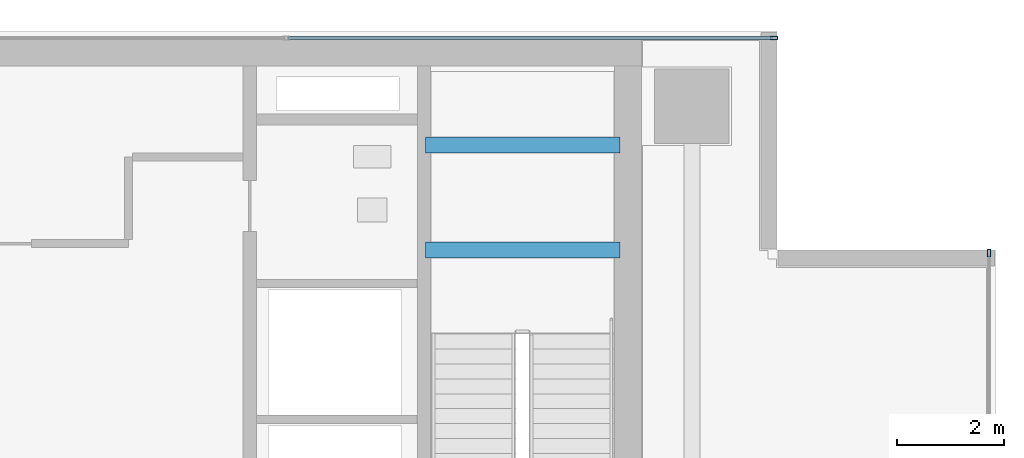
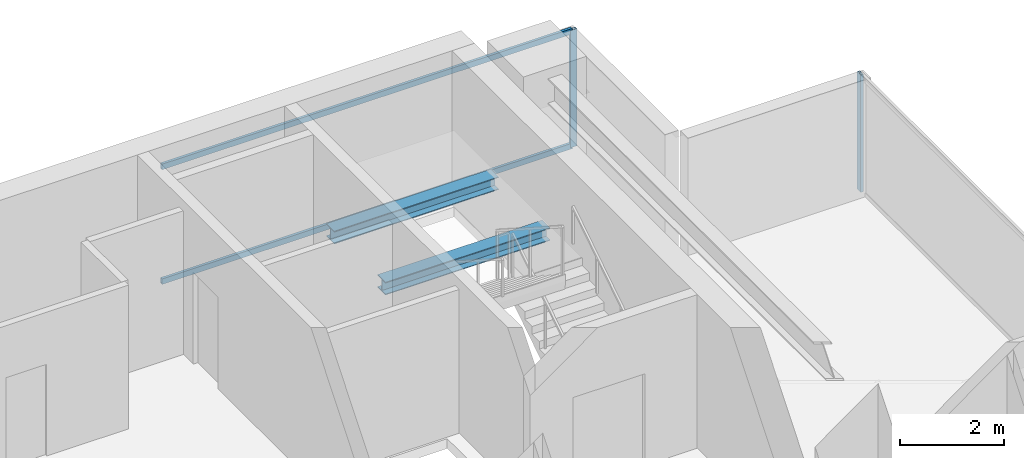
# One storey, part 18 of 25: 4 members, 2 beams, 2 elements without a shape of their own.
"""IFC4 building model written with IfcOpenShell, lengths in metres."""

from ifc_helpers import new_model, si_unit, direction, frame, origin, origin_2d, place, context, subcontext, project, spatial, hollow_rectangle, i_section, extrude, source, transform, mapped, material, layer, layer_set, material_profile, profile_set, type_object, element, aggregate, save


model = new_model("IFC4")

# Units and contexts
model_context = context("Model", 3, precision=1e-05, world=origin(), true_north=direction((0.0, 1.0)))
body_context = subcontext(model_context, "Body", "Model", "MODEL_VIEW")
ifc_project = project(units=[si_unit("LENGTHUNIT", "METRE"), si_unit("AREAUNIT", "SQUARE_METRE"), si_unit("VOLUMEUNIT", "CUBIC_METRE"), si_unit("PLANEANGLEUNIT", "RADIAN"), si_unit("MASSUNIT", "GRAM", prefix="KILO")], contexts=[model_context])

# Site, building, storey
site_placement = place(None, origin())
site = spatial("IfcSite", under=ifc_project, at=site_placement, CompositionType="ELEMENT")
building_placement = place(site_placement, origin())
building = spatial("IfcBuilding", under=site, at=building_placement, Name="Sumidabori Civic Tower", CompositionType="ELEMENT")
storey_placement = place(building_placement, frame((0.0, 0.0, 232.39990234375)))
storey = spatial("IfcBuildingStorey", under=building, at=storey_placement, Name="L60", CompositionType="ELEMENT", Elevation=232.39990234375)

# Beams
ifc_material_1 = material(Name="Steel SN490", Category="steel")
ifc_material_profile_1 = material_profile(ifc_material_1, i_section(OverallWidth=0.300048828125, OverallDepth=0.300048828125, WebThickness=0.010986328125, FlangeThickness=0.01904296875, at=origin_2d()), Name="HE 300 B")
ifc_profile_set_1 = profile_set([ifc_material_profile_1], Name="Steel SN490")
beam_type = type_object("IfcBeamType", Name="BM-LDG-300", PredefinedType="BEAM", material=ifc_profile_set_1)
shared_shape_1 = source(origin(), body_context, "Body", "SweptSolid", [
    extrude(i_section(OverallWidth=0.300048828125, OverallDepth=0.300048828125, WebThickness=0.010986328125, FlangeThickness=0.01904296875, at=origin_2d()), origin(), (0.0, 0.0, 1.0), 3.64990234375),
])
for number, where, z_axis, x_axis, name in (
    (1, (11.800048828125, 20.09765625, 1.4501953125), (1.0, 0.0, 0.0), (0.0, 1.0, 0.0), "Stair ST-2 Landing Support Beam L60-1A"),
    (2, (11.800048828125, 22.069580078125, 1.4501953125), (1.0, 0.0, 0.0), (0.0, 1.0, 0.0), "Stair ST-2 Landing Trimmer Beam L60-1B"),
):
    element("IfcBeam", number, at=place(storey_placement, frame(where, z_axis=z_axis, x_axis=x_axis)), inside=storey, type_object=beam_type, Name=name, PredefinedType="BEAM", context=body_context, shape_type="MappedRepresentation", body=[
        mapped(shared_shape_1, transform((0.0, 0.0, 0.0), x_axis=(1.0, 0.0, 0.0), y_axis=(0.0, 1.0, 0.0), z_axis=(0.0, 0.0, 1.0), scale=1.0)),
    ])

# Curtain wall, members
ifc_material_2 = material(Name="Anodised Bronze Aluminium AW-6063-T6", Category="aluminium")
ifc_layer = layer(ifc_material_2, 0.179931640625, Name="Anodised Bronze Aluminium AW-6063-T6")
ifc_layer_set = layer_set([ifc_layer], Name="Anodised Bronze Aluminium AW-6063-T6")
curtain_wall_type = type_object("IfcCurtainWallType", Name="CW-SYS-5", PredefinedType="NOTDEFINED", material=ifc_layer_set)
curtain_wall_1_placement = place(storey_placement, origin())
curtain_wall_1 = element("IfcCurtainWall", 3, at=curtain_wall_1_placement, inside=storey, type_object=curtain_wall_type, Name="Curtain Wall CW:L60:R07", PredefinedType="NOTDEFINED")
ifc_material_profile_2 = material_profile(ifc_material_2, hollow_rectangle(XDim=0.06005859375, YDim=0.1298828125, WallThickness=0.0048828125, at=origin_2d()), Name="ALU TRANSOM 130x60")
ifc_profile_set_2 = profile_set([ifc_material_profile_2], Name="Anodised Bronze Aluminium AW-6063-T6")
member_type_1 = type_object("IfcMemberType", Name="CW-TRN-130", PredefinedType="USERDEFINED", material=ifc_profile_set_2)
shared_shape_2 = source(origin(), body_context, "Body", "SweptSolid", [
    extrude(hollow_rectangle(XDim=0.06005859375, YDim=0.1298828125, WallThickness=0.0048828125, at=origin_2d()), origin(), (0.0, 0.0, 1.0), 9.094970703125),
])
member_1_placement = place(storey_placement, frame((18.31005859375, 24.080078125, 0.030029296875), z_axis=(-1.0, 0.0, 0.0), x_axis=(0.0, -1.0, 0.0)))
member_1 = element("IfcMember", 4, at=member_1_placement, type_object=member_type_1, Name="CW-5 transom 1.1", ObjectType="TRANSOM", PredefinedType="USERDEFINED", context=body_context, shape_type="MappedRepresentation", body=[
    mapped(shared_shape_2, transform((0.0, 0.0, 0.0), x_axis=(1.0, 0.0, 0.0), y_axis=(0.0, 1.0, 0.0), z_axis=(0.0, 0.0, 1.0), scale=1.0)),
])
member_2_placement = place(storey_placement, frame((18.31005859375, 24.080078125, 2.72021484375), z_axis=(-1.0, 0.0, 0.0), x_axis=(0.0, -1.0, 0.0)))
member_2 = element("IfcMember", 5, at=member_2_placement, type_object=member_type_1, Name="CW-5 transom 1.2", ObjectType="TRANSOM", PredefinedType="USERDEFINED", context=body_context, shape_type="MappedRepresentation", body=[
    mapped(shared_shape_2, transform((0.0, 0.0, 0.0), x_axis=(1.0, 0.0, 0.0), y_axis=(0.0, 1.0, 0.0), z_axis=(0.0, 0.0, 1.0), scale=1.0)),
])

# Curtain wall, member
curtain_wall_2_placement = place(storey_placement, origin())
curtain_wall_2 = element("IfcCurtainWall", 6, at=curtain_wall_2_placement, inside=storey, type_object=curtain_wall_type, Name="Curtain Wall CW:L60:R04", PredefinedType="NOTDEFINED")
ifc_material_profile_3 = material_profile(ifc_material_2, hollow_rectangle(XDim=0.06005859375, YDim=0.139892578125, WallThickness=0.0048828125, at=origin_2d()), Name="ALU MULLION 140x60")
ifc_profile_set_3 = profile_set([ifc_material_profile_3], Name="Anodised Bronze Aluminium AW-6063-T6")
member_type_2 = type_object("IfcMemberType", Name="CW-MUL-140", PredefinedType="MULLION", material=ifc_profile_set_3)
shared_shape_3 = source(origin(), body_context, "Body", "SweptSolid", [
    extrude(hollow_rectangle(XDim=0.06005859375, YDim=0.139892578125, WallThickness=0.0048828125, at=origin_2d()), origin(), (0.0, 0.0, 1.0), 2.75),
])
member_3_placement = place(storey_placement, frame((22.3798828125, 20.0400390625, 0.0), z_axis=(0.0, 0.0, 1.0), x_axis=(-1.0, 0.0, 0.0)))
member_3 = element("IfcMember", 7, at=member_3_placement, type_object=member_type_2, Name="CW-5 mullion 4", PredefinedType="MULLION", context=body_context, shape_type="MappedRepresentation", body=[
    mapped(shared_shape_3, transform((0.0, 0.0, 0.0), x_axis=(1.0, 0.0, 0.0), y_axis=(0.0, 1.0, 0.0), z_axis=(0.0, 0.0, 1.0), scale=1.0)),
])
aggregate(curtain_wall_2, [member_3])

# Member
member_4_placement = place(storey_placement, frame((18.340087890625, 24.080078125, 0.0), z_axis=(0.0, 0.0, 1.0), x_axis=(0.0, -1.0, 0.0)))
member_4 = element("IfcMember", 8, at=member_4_placement, type_object=member_type_2, Name="CW-5 mullion 1", PredefinedType="MULLION", context=body_context, shape_type="MappedRepresentation", body=[
    mapped(shared_shape_3, transform((0.0, 0.0, 0.0), x_axis=(1.0, 0.0, 0.0), y_axis=(0.0, 1.0, 0.0), z_axis=(0.0, 0.0, 1.0), scale=1.0)),
])

aggregate(curtain_wall_1, [member_4, member_1, member_2])

save(model, "model.ifc")
